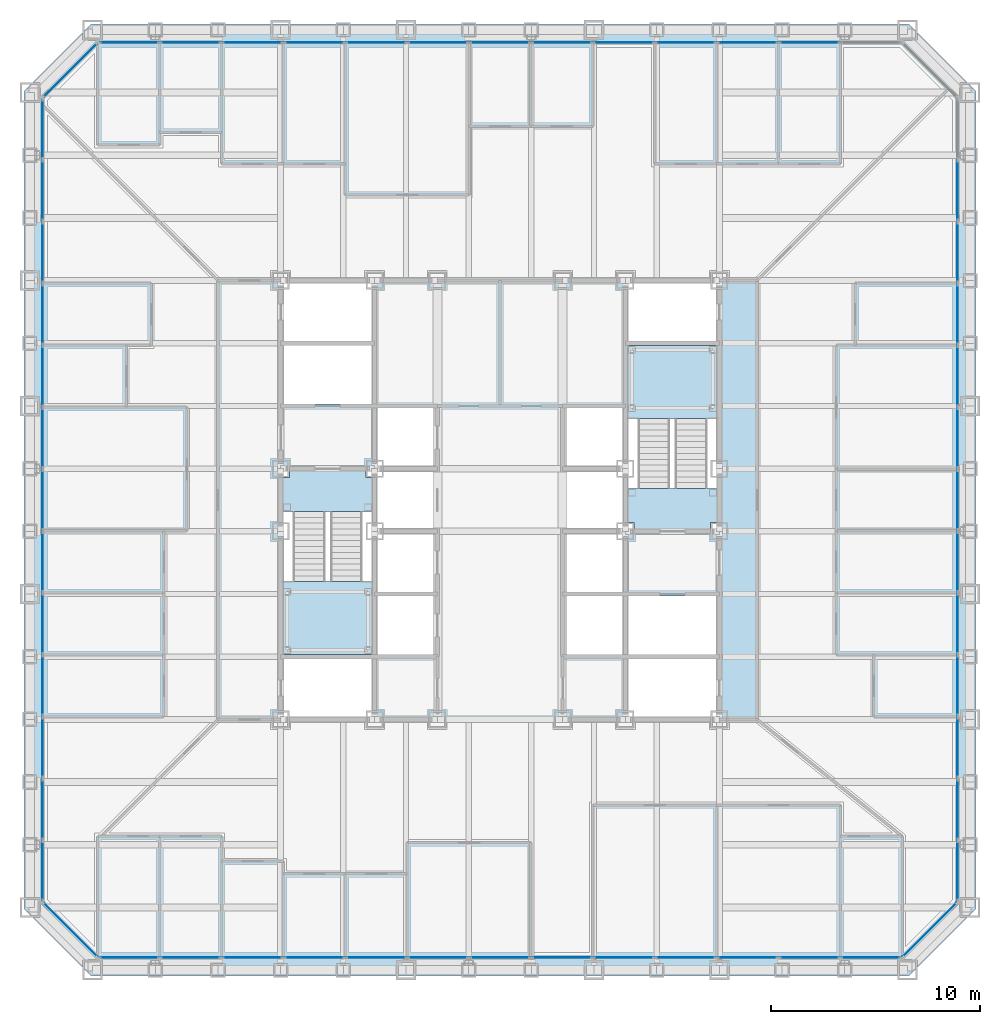
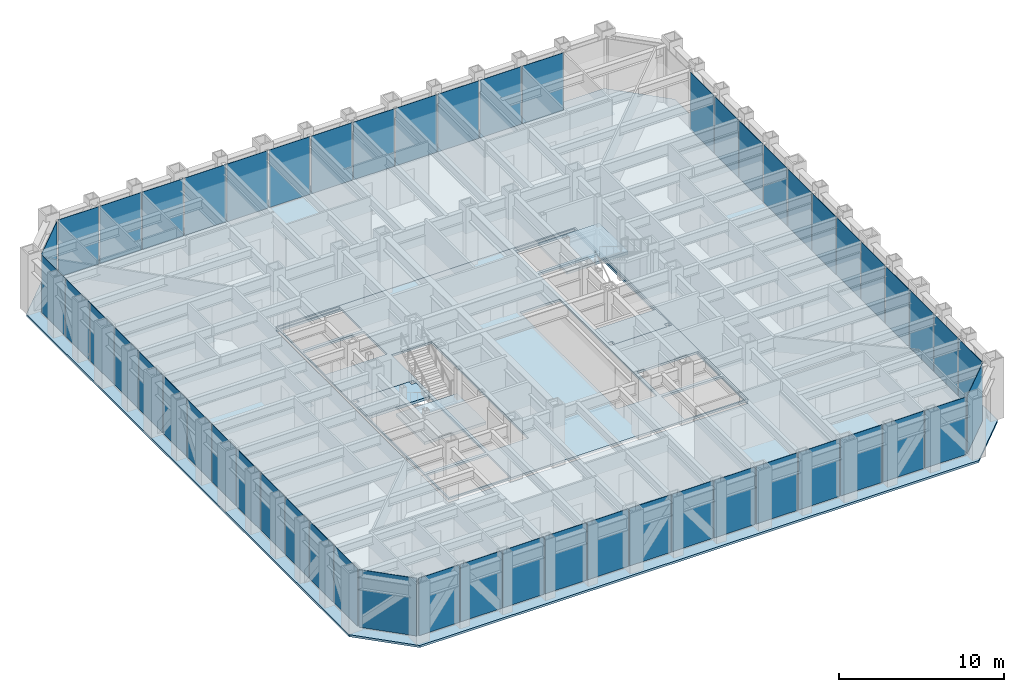
# One storey, part 7 of 17: 53 plates, 6 slabs, 9 elements without a shape of their own.
"""IFC4 building model written with IfcOpenShell, lengths in metres."""

from ifc_helpers import new_model, si_unit, direction, frame, origin, origin_2d, place, context, subcontext, project, spatial, polyline, rectangle, outline, extrude, material, layer, layer_set, type_object, element, aggregate, save


model = new_model("IFC4")

# Units and contexts
model_context = context("Model", 3, precision=1e-05, world=origin(), true_north=direction((0.0, 1.0)))
body_context = subcontext(model_context, "Body", "Model", "MODEL_VIEW")
ifc_project = project(units=[si_unit("LENGTHUNIT", "METRE"), si_unit("AREAUNIT", "SQUARE_METRE"), si_unit("VOLUMEUNIT", "CUBIC_METRE"), si_unit("PLANEANGLEUNIT", "RADIAN"), si_unit("MASSUNIT", "GRAM", prefix="KILO")], contexts=[model_context])

# Site, building, storey
site_placement = place(None, origin())
site = spatial("IfcSite", under=ifc_project, at=site_placement, CompositionType="ELEMENT")
building_placement = place(site_placement, origin())
building = spatial("IfcBuilding", under=site, at=building_placement, Name="Chuquiago Exchange Tower", CompositionType="ELEMENT")
storey_placement = place(building_placement, frame((0.0, 0.0, 46.800048828125)))
storey = spatial("IfcBuildingStorey", under=building, at=storey_placement, Name="L09", CompositionType="ELEMENT", Elevation=46.800048828125)

# Curtain wall, plates
ifc_material_1 = material(Name="Aluminium curtain wall system", Category="aluminium")
ifc_layer_1 = layer(ifc_material_1, 0.25)
ifc_layer_set_1 = layer_set([ifc_layer_1], Name="CW1 trading floor curtain wall")
curtain_wall_type_1 = type_object("IfcCurtainWallType", Name="CW1 trading floor curtain wall", PredefinedType="NOTDEFINED", material=ifc_layer_set_1)
curtain_wall_1_placement = place(storey_placement, origin())
curtain_wall_1 = element("IfcCurtainWall", 1, at=curtain_wall_1_placement, inside=storey, type_object=curtain_wall_type_1, Name="CW1 curtain wall L09", PredefinedType="NOTDEFINED")
ifc_material_2 = material(Name="Glass, insulating unit", Category="glass")
ifc_layer_2 = layer(ifc_material_2, 0.031982421875)
ifc_layer_set_2 = layer_set([ifc_layer_2], Name="CW1-P panel 32")
plate_type_1 = type_object("IfcPlateType", Name="CW1-P panel 32", PredefinedType="CURTAIN_PANEL", material=ifc_layer_set_2)
plate_1_placement = place(storey_placement, frame((10.65283203125, 0.60009765625, -0.22509765625), z_axis=(0.0, 0.0, 1.0), x_axis=(1.0, 0.0, 0.0)))
plate_1 = element("IfcPlate", 2, at=plate_1_placement, type_object=plate_type_1, Name="CW1 panel 3.1", PredefinedType="CURTAIN_PANEL", context=body_context, shape_type="SweptSolid", body=[
    extrude(rectangle(XDim=2.88671875, YDim=0.031982421875, at=origin_2d()), origin(), (0.0, 0.0, 1.0), 4.264892578125),
])
plate_2_placement = place(storey_placement, frame((13.61474609375, 0.60009765625, -0.22509765625), z_axis=(0.0, 0.0, 1.0), x_axis=(1.0, 0.0, 0.0)))
plate_2 = element("IfcPlate", 3, at=plate_2_placement, type_object=plate_type_1, Name="CW1 panel 4.1", PredefinedType="CURTAIN_PANEL", context=body_context, shape_type="SweptSolid", body=[
    extrude(rectangle(XDim=2.88671875, YDim=0.031982421875, at=origin_2d()), origin(), (0.0, 0.0, 1.0), 4.264892578125),
])
plate_3_placement = place(storey_placement, frame((16.576416015625, 0.60009765625, -0.22509765625), z_axis=(0.0, 0.0, 1.0), x_axis=(1.0, 0.0, 0.0)))
plate_3 = element("IfcPlate", 4, at=plate_3_placement, type_object=plate_type_1, Name="CW1 panel 5.1", PredefinedType="CURTAIN_PANEL", context=body_context, shape_type="SweptSolid", body=[
    extrude(rectangle(XDim=2.88671875, YDim=0.031982421875, at=origin_2d()), origin(), (0.0, 0.0, 1.0), 4.264892578125),
])
plate_4_placement = place(storey_placement, frame((25.461669921875, 0.60009765625, -0.22509765625), z_axis=(0.0, 0.0, 1.0), x_axis=(1.0, 0.0, 0.0)))
plate_4 = element("IfcPlate", 5, at=plate_4_placement, type_object=plate_type_1, Name="CW1 panel 8.1", PredefinedType="CURTAIN_PANEL", context=body_context, shape_type="SweptSolid", body=[
    extrude(rectangle(XDim=2.88671875, YDim=0.031982421875, at=origin_2d()), origin(), (0.0, 0.0, 1.0), 4.264892578125),
])
plate_5_placement = place(storey_placement, frame((28.423583984375, 0.60009765625, -0.22509765625), z_axis=(0.0, 0.0, 1.0), x_axis=(1.0, 0.0, 0.0)))
plate_5 = element("IfcPlate", 6, at=plate_5_placement, type_object=plate_type_1, Name="CW1 panel 9.1", PredefinedType="CURTAIN_PANEL", context=body_context, shape_type="SweptSolid", body=[
    extrude(rectangle(XDim=2.88671875, YDim=0.031982421875, at=origin_2d()), origin(), (0.0, 0.0, 1.0), 4.264892578125),
])
plate_6_placement = place(storey_placement, frame((31.38525390625, 0.60009765625, -0.22509765625), z_axis=(0.0, 0.0, 1.0), x_axis=(1.0, 0.0, 0.0)))
plate_6 = element("IfcPlate", 7, at=plate_6_placement, type_object=plate_type_1, Name="CW1 panel 10.1", PredefinedType="CURTAIN_PANEL", context=body_context, shape_type="SweptSolid", body=[
    extrude(rectangle(XDim=2.88671875, YDim=0.031982421875, at=origin_2d()), origin(), (0.0, 0.0, 1.0), 4.264892578125),
])
plate_7_placement = place(storey_placement, frame((34.34716796875, 0.60009765625, -0.22509765625), z_axis=(0.0, 0.0, 1.0), x_axis=(1.0, 0.0, 0.0)))
plate_7 = element("IfcPlate", 8, at=plate_7_placement, type_object=plate_type_1, Name="CW1 panel 11.1", PredefinedType="CURTAIN_PANEL", context=body_context, shape_type="SweptSolid", body=[
    extrude(rectangle(XDim=2.88671875, YDim=0.031982421875, at=origin_2d()), origin(), (0.0, 0.0, 1.0), 4.264892578125),
])

curtain_wall_2_placement = place(storey_placement, origin())
curtain_wall_2 = element("IfcCurtainWall", 9, at=curtain_wall_2_placement, inside=storey, type_object=curtain_wall_type_1, Name="CW1 curtain wall L09", PredefinedType="NOTDEFINED")
plate_8_placement = place(storey_placement, frame((44.39990234375, 10.65283203125, -0.22509765625), z_axis=(0.0, 0.0, 1.0), x_axis=(0.0, 1.0, 0.0)))
plate_8 = element("IfcPlate", 10, at=plate_8_placement, type_object=plate_type_1, Name="CW1 panel 3.1", PredefinedType="CURTAIN_PANEL", context=body_context, shape_type="SweptSolid", body=[
    extrude(rectangle(XDim=2.88671875, YDim=0.031982421875, at=origin_2d()), origin(), (0.0, 0.0, 1.0), 4.264892578125),
])
plate_9_placement = place(storey_placement, frame((44.39990234375, 13.61474609375, -0.22509765625), z_axis=(0.0, 0.0, 1.0), x_axis=(0.0, 1.0, 0.0)))
plate_9 = element("IfcPlate", 11, at=plate_9_placement, type_object=plate_type_1, Name="CW1 panel 4.1", PredefinedType="CURTAIN_PANEL", context=body_context, shape_type="SweptSolid", body=[
    extrude(rectangle(XDim=2.88671875, YDim=0.031982421875, at=origin_2d()), origin(), (0.0, 0.0, 1.0), 4.264892578125),
])
plate_10_placement = place(storey_placement, frame((44.39990234375, 16.576416015625, -0.22509765625), z_axis=(0.0, 0.0, 1.0), x_axis=(0.0, 1.0, 0.0)))
plate_10 = element("IfcPlate", 12, at=plate_10_placement, type_object=plate_type_1, Name="CW1 panel 5.1", PredefinedType="CURTAIN_PANEL", context=body_context, shape_type="SweptSolid", body=[
    extrude(rectangle(XDim=2.88671875, YDim=0.031982421875, at=origin_2d()), origin(), (0.0, 0.0, 1.0), 4.264892578125),
])
plate_11_placement = place(storey_placement, frame((44.39990234375, 25.461669921875, -0.22509765625), z_axis=(0.0, 0.0, 1.0), x_axis=(0.0, 1.0, 0.0)))
plate_11 = element("IfcPlate", 13, at=plate_11_placement, type_object=plate_type_1, Name="CW1 panel 8.1", PredefinedType="CURTAIN_PANEL", context=body_context, shape_type="SweptSolid", body=[
    extrude(rectangle(XDim=2.88671875, YDim=0.031982421875, at=origin_2d()), origin(), (0.0, 0.0, 1.0), 4.264892578125),
])
plate_12_placement = place(storey_placement, frame((44.39990234375, 28.423583984375, -0.22509765625), z_axis=(0.0, 0.0, 1.0), x_axis=(0.0, 1.0, 0.0)))
plate_12 = element("IfcPlate", 14, at=plate_12_placement, type_object=plate_type_1, Name="CW1 panel 9.1", PredefinedType="CURTAIN_PANEL", context=body_context, shape_type="SweptSolid", body=[
    extrude(rectangle(XDim=2.88671875, YDim=0.031982421875, at=origin_2d()), origin(), (0.0, 0.0, 1.0), 4.264892578125),
])
plate_13_placement = place(storey_placement, frame((44.39990234375, 31.38525390625, -0.22509765625), z_axis=(0.0, 0.0, 1.0), x_axis=(0.0, 1.0, 0.0)))
plate_13 = element("IfcPlate", 15, at=plate_13_placement, type_object=plate_type_1, Name="CW1 panel 10.1", PredefinedType="CURTAIN_PANEL", context=body_context, shape_type="SweptSolid", body=[
    extrude(rectangle(XDim=2.88671875, YDim=0.031982421875, at=origin_2d()), origin(), (0.0, 0.0, 1.0), 4.264892578125),
])
plate_14_placement = place(storey_placement, frame((44.39990234375, 34.34716796875, -0.22509765625), z_axis=(0.0, 0.0, 1.0), x_axis=(0.0, 1.0, 0.0)))
plate_14 = element("IfcPlate", 16, at=plate_14_placement, type_object=plate_type_1, Name="CW1 panel 11.1", PredefinedType="CURTAIN_PANEL", context=body_context, shape_type="SweptSolid", body=[
    extrude(rectangle(XDim=2.88671875, YDim=0.031982421875, at=origin_2d()), origin(), (0.0, 0.0, 1.0), 4.264892578125),
])

curtain_wall_3_placement = place(storey_placement, origin())
curtain_wall_3 = element("IfcCurtainWall", 17, at=curtain_wall_3_placement, inside=storey, type_object=curtain_wall_type_1, Name="CW1 curtain wall L09", PredefinedType="NOTDEFINED")
plate_15_placement = place(storey_placement, frame((34.34716796875, 44.39990234375, -0.22509765625), z_axis=(0.0, 0.0, 1.0), x_axis=(-1.0, 0.0, 0.0)))
plate_15 = element("IfcPlate", 18, at=plate_15_placement, type_object=plate_type_1, Name="CW1 panel 3.1", PredefinedType="CURTAIN_PANEL", context=body_context, shape_type="SweptSolid", body=[
    extrude(rectangle(XDim=2.88671875, YDim=0.031982421875, at=origin_2d()), origin(), (0.0, 0.0, 1.0), 4.264892578125),
])
plate_16_placement = place(storey_placement, frame((31.38525390625, 44.39990234375, -0.22509765625), z_axis=(0.0, 0.0, 1.0), x_axis=(-1.0, 0.0, 0.0)))
plate_16 = element("IfcPlate", 19, at=plate_16_placement, type_object=plate_type_1, Name="CW1 panel 4.1", PredefinedType="CURTAIN_PANEL", context=body_context, shape_type="SweptSolid", body=[
    extrude(rectangle(XDim=2.88671875, YDim=0.031982421875, at=origin_2d()), origin(), (0.0, 0.0, 1.0), 4.264892578125),
])
plate_17_placement = place(storey_placement, frame((28.423583984375, 44.39990234375, -0.22509765625), z_axis=(0.0, 0.0, 1.0), x_axis=(-1.0, 0.0, 0.0)))
plate_17 = element("IfcPlate", 20, at=plate_17_placement, type_object=plate_type_1, Name="CW1 panel 5.1", PredefinedType="CURTAIN_PANEL", context=body_context, shape_type="SweptSolid", body=[
    extrude(rectangle(XDim=2.88671875, YDim=0.031982421875, at=origin_2d()), origin(), (0.0, 0.0, 1.0), 4.264892578125),
])
plate_18_placement = place(storey_placement, frame((19.538330078125, 44.39990234375, -0.22509765625), z_axis=(0.0, 0.0, 1.0), x_axis=(-1.0, 0.0, 0.0)))
plate_18 = element("IfcPlate", 21, at=plate_18_placement, type_object=plate_type_1, Name="CW1 panel 8.1", PredefinedType="CURTAIN_PANEL", context=body_context, shape_type="SweptSolid", body=[
    extrude(rectangle(XDim=2.88671875, YDim=0.031982421875, at=origin_2d()), origin(), (0.0, 0.0, 1.0), 4.264892578125),
])
plate_19_placement = place(storey_placement, frame((16.576416015625, 44.39990234375, -0.22509765625), z_axis=(0.0, 0.0, 1.0), x_axis=(-1.0, 0.0, 0.0)))
plate_19 = element("IfcPlate", 22, at=plate_19_placement, type_object=plate_type_1, Name="CW1 panel 9.1", PredefinedType="CURTAIN_PANEL", context=body_context, shape_type="SweptSolid", body=[
    extrude(rectangle(XDim=2.88671875, YDim=0.031982421875, at=origin_2d()), origin(), (0.0, 0.0, 1.0), 4.264892578125),
])
plate_20_placement = place(storey_placement, frame((13.61474609375, 44.39990234375, -0.22509765625), z_axis=(0.0, 0.0, 1.0), x_axis=(-1.0, 0.0, 0.0)))
plate_20 = element("IfcPlate", 23, at=plate_20_placement, type_object=plate_type_1, Name="CW1 panel 10.1", PredefinedType="CURTAIN_PANEL", context=body_context, shape_type="SweptSolid", body=[
    extrude(rectangle(XDim=2.88671875, YDim=0.031982421875, at=origin_2d()), origin(), (0.0, 0.0, 1.0), 4.264892578125),
])
plate_21_placement = place(storey_placement, frame((10.65283203125, 44.39990234375, -0.22509765625), z_axis=(0.0, 0.0, 1.0), x_axis=(-1.0, 0.0, 0.0)))
plate_21 = element("IfcPlate", 24, at=plate_21_placement, type_object=plate_type_1, Name="CW1 panel 11.1", PredefinedType="CURTAIN_PANEL", context=body_context, shape_type="SweptSolid", body=[
    extrude(rectangle(XDim=2.88671875, YDim=0.031982421875, at=origin_2d()), origin(), (0.0, 0.0, 1.0), 4.264892578125),
])

curtain_wall_4_placement = place(storey_placement, origin())
curtain_wall_4 = element("IfcCurtainWall", 25, at=curtain_wall_4_placement, inside=storey, type_object=curtain_wall_type_1, Name="CW1 curtain wall L09", PredefinedType="NOTDEFINED")
plate_22_placement = place(storey_placement, frame((0.60009765625, 34.34716796875, -0.22509765625), z_axis=(0.0, 0.0, 1.0), x_axis=(0.0, -1.0, 0.0)))
plate_22 = element("IfcPlate", 26, at=plate_22_placement, type_object=plate_type_1, Name="CW1 panel 3.1", PredefinedType="CURTAIN_PANEL", context=body_context, shape_type="SweptSolid", body=[
    extrude(rectangle(XDim=2.88671875, YDim=0.031982421875, at=origin_2d()), origin(), (0.0, 0.0, 1.0), 4.264892578125),
])
plate_23_placement = place(storey_placement, frame((0.60009765625, 31.38525390625, -0.22509765625), z_axis=(0.0, 0.0, 1.0), x_axis=(0.0, -1.0, 0.0)))
plate_23 = element("IfcPlate", 27, at=plate_23_placement, type_object=plate_type_1, Name="CW1 panel 4.1", PredefinedType="CURTAIN_PANEL", context=body_context, shape_type="SweptSolid", body=[
    extrude(rectangle(XDim=2.88671875, YDim=0.031982421875, at=origin_2d()), origin(), (0.0, 0.0, 1.0), 4.264892578125),
])
plate_24_placement = place(storey_placement, frame((0.60009765625, 28.423583984375, -0.22509765625), z_axis=(0.0, 0.0, 1.0), x_axis=(0.0, -1.0, 0.0)))
plate_24 = element("IfcPlate", 28, at=plate_24_placement, type_object=plate_type_1, Name="CW1 panel 5.1", PredefinedType="CURTAIN_PANEL", context=body_context, shape_type="SweptSolid", body=[
    extrude(rectangle(XDim=2.88671875, YDim=0.031982421875, at=origin_2d()), origin(), (0.0, 0.0, 1.0), 4.264892578125),
])
plate_25_placement = place(storey_placement, frame((0.60009765625, 19.538330078125, -0.22509765625), z_axis=(0.0, 0.0, 1.0), x_axis=(0.0, -1.0, 0.0)))
plate_25 = element("IfcPlate", 29, at=plate_25_placement, type_object=plate_type_1, Name="CW1 panel 8.1", PredefinedType="CURTAIN_PANEL", context=body_context, shape_type="SweptSolid", body=[
    extrude(rectangle(XDim=2.88671875, YDim=0.031982421875, at=origin_2d()), origin(), (0.0, 0.0, 1.0), 4.264892578125),
])
plate_26_placement = place(storey_placement, frame((0.60009765625, 16.576416015625, -0.22509765625), z_axis=(0.0, 0.0, 1.0), x_axis=(0.0, -1.0, 0.0)))
plate_26 = element("IfcPlate", 30, at=plate_26_placement, type_object=plate_type_1, Name="CW1 panel 9.1", PredefinedType="CURTAIN_PANEL", context=body_context, shape_type="SweptSolid", body=[
    extrude(rectangle(XDim=2.88671875, YDim=0.031982421875, at=origin_2d()), origin(), (0.0, 0.0, 1.0), 4.264892578125),
])
plate_27_placement = place(storey_placement, frame((0.60009765625, 13.61474609375, -0.22509765625), z_axis=(0.0, 0.0, 1.0), x_axis=(0.0, -1.0, 0.0)))
plate_27 = element("IfcPlate", 31, at=plate_27_placement, type_object=plate_type_1, Name="CW1 panel 10.1", PredefinedType="CURTAIN_PANEL", context=body_context, shape_type="SweptSolid", body=[
    extrude(rectangle(XDim=2.88671875, YDim=0.031982421875, at=origin_2d()), origin(), (0.0, 0.0, 1.0), 4.264892578125),
])
plate_28_placement = place(storey_placement, frame((0.60009765625, 10.65283203125, -0.22509765625), z_axis=(0.0, 0.0, 1.0), x_axis=(0.0, -1.0, 0.0)))
plate_28 = element("IfcPlate", 32, at=plate_28_placement, type_object=plate_type_1, Name="CW1 panel 11.1", PredefinedType="CURTAIN_PANEL", context=body_context, shape_type="SweptSolid", body=[
    extrude(rectangle(XDim=2.88671875, YDim=0.031982421875, at=origin_2d()), origin(), (0.0, 0.0, 1.0), 4.264892578125),
])

# Plate
ifc_material_3 = material(Name="Insulated spandrel panel, pale anodised aluminium", Category="aluminium")
ifc_layer_3 = layer(ifc_material_3, 0.031982421875)
ifc_layer_set_3 = layer_set([ifc_layer_3], Name="CW1-P spandrel panel 32")
plate_type_2 = type_object("IfcPlateType", Name="CW1-P spandrel panel 32", PredefinedType="CURTAIN_PANEL", material=ifc_layer_set_3)
plate_29_placement = place(storey_placement, frame((4.748046875, 0.60009765625, -0.22509765625), z_axis=(0.0, 0.0, 1.0), x_axis=(1.0, 0.0, 0.0)))
plate_29 = element("IfcPlate", 33, at=plate_29_placement, type_object=plate_type_2, Name="CW1 panel 1.1", PredefinedType="CURTAIN_PANEL", context=body_context, shape_type="SweptSolid", body=[
    extrude(rectangle(XDim=2.849365234375, YDim=0.031982421875, at=origin_2d()), origin(), (0.0, 0.0, 1.0), 4.264892578125),
])

plate_30_placement = place(storey_placement, frame((7.691162109375, 0.60009765625, -0.22509765625), z_axis=(0.0, 0.0, 1.0), x_axis=(1.0, 0.0, 0.0)))
plate_30 = element("IfcPlate", 34, at=plate_30_placement, type_object=plate_type_2, Name="CW1 panel 2.1", PredefinedType="CURTAIN_PANEL", context=body_context, shape_type="SweptSolid", body=[
    extrude(rectangle(XDim=2.88671875, YDim=0.031982421875, at=origin_2d()), origin(), (0.0, 0.0, 1.0), 4.264892578125),
])

plate_31_placement = place(storey_placement, frame((19.538330078125, 0.60009765625, -0.22509765625), z_axis=(0.0, 0.0, 1.0), x_axis=(1.0, 0.0, 0.0)))
plate_31 = element("IfcPlate", 35, at=plate_31_placement, type_object=plate_type_2, Name="CW1 panel 6.1", PredefinedType="CURTAIN_PANEL", context=body_context, shape_type="SweptSolid", body=[
    extrude(rectangle(XDim=2.88671875, YDim=0.031982421875, at=origin_2d()), origin(), (0.0, 0.0, 1.0), 4.264892578125),
])

plate_32_placement = place(storey_placement, frame((22.5, 0.60009765625, -0.22509765625), z_axis=(0.0, 0.0, 1.0), x_axis=(1.0, 0.0, 0.0)))
plate_32 = element("IfcPlate", 36, at=plate_32_placement, type_object=plate_type_2, Name="CW1 panel 7.1", PredefinedType="CURTAIN_PANEL", context=body_context, shape_type="SweptSolid", body=[
    extrude(rectangle(XDim=2.88671875, YDim=0.031982421875, at=origin_2d()), origin(), (0.0, 0.0, 1.0), 4.264892578125),
])

plate_33_placement = place(storey_placement, frame((37.308837890625, 0.60009765625, -0.22509765625), z_axis=(0.0, 0.0, 1.0), x_axis=(1.0, 0.0, 0.0)))
plate_33 = element("IfcPlate", 37, at=plate_33_placement, type_object=plate_type_2, Name="CW1 panel 12.1", PredefinedType="CURTAIN_PANEL", context=body_context, shape_type="SweptSolid", body=[
    extrude(rectangle(XDim=2.88671875, YDim=0.031982421875, at=origin_2d()), origin(), (0.0, 0.0, 1.0), 4.264892578125),
])

plate_34_placement = place(storey_placement, frame((40.251953125, 0.60009765625, -0.22509765625), z_axis=(0.0, 0.0, 1.0), x_axis=(1.0, 0.0, 0.0)))
plate_34 = element("IfcPlate", 38, at=plate_34_placement, type_object=plate_type_2, Name="CW1 panel 13.1", PredefinedType="CURTAIN_PANEL", context=body_context, shape_type="SweptSolid", body=[
    extrude(rectangle(XDim=2.849365234375, YDim=0.031982421875, at=origin_2d()), origin(), (0.0, 0.0, 1.0), 4.264892578125),
])

aggregate(curtain_wall_1, [plate_29, plate_30, plate_1, plate_2, plate_3, plate_31, plate_32, plate_4, plate_5, plate_6, plate_7, plate_33, plate_34])

plate_35_placement = place(storey_placement, frame((44.39990234375, 4.748046875, -0.22509765625), z_axis=(0.0, 0.0, 1.0), x_axis=(0.0, 1.0, 0.0)))
plate_35 = element("IfcPlate", 39, at=plate_35_placement, type_object=plate_type_2, Name="CW1 panel 1.1", PredefinedType="CURTAIN_PANEL", context=body_context, shape_type="SweptSolid", body=[
    extrude(rectangle(XDim=2.849365234375, YDim=0.031982421875, at=origin_2d()), origin(), (0.0, 0.0, 1.0), 4.264892578125),
])

plate_36_placement = place(storey_placement, frame((44.39990234375, 7.691162109375, -0.22509765625), z_axis=(0.0, 0.0, 1.0), x_axis=(0.0, 1.0, 0.0)))
plate_36 = element("IfcPlate", 40, at=plate_36_placement, type_object=plate_type_2, Name="CW1 panel 2.1", PredefinedType="CURTAIN_PANEL", context=body_context, shape_type="SweptSolid", body=[
    extrude(rectangle(XDim=2.88671875, YDim=0.031982421875, at=origin_2d()), origin(), (0.0, 0.0, 1.0), 4.264892578125),
])

plate_37_placement = place(storey_placement, frame((44.39990234375, 19.538330078125, -0.22509765625), z_axis=(0.0, 0.0, 1.0), x_axis=(0.0, 1.0, 0.0)))
plate_37 = element("IfcPlate", 41, at=plate_37_placement, type_object=plate_type_2, Name="CW1 panel 6.1", PredefinedType="CURTAIN_PANEL", context=body_context, shape_type="SweptSolid", body=[
    extrude(rectangle(XDim=2.88671875, YDim=0.031982421875, at=origin_2d()), origin(), (0.0, 0.0, 1.0), 4.264892578125),
])

plate_38_placement = place(storey_placement, frame((44.39990234375, 22.5, -0.22509765625), z_axis=(0.0, 0.0, 1.0), x_axis=(0.0, 1.0, 0.0)))
plate_38 = element("IfcPlate", 42, at=plate_38_placement, type_object=plate_type_2, Name="CW1 panel 7.1", PredefinedType="CURTAIN_PANEL", context=body_context, shape_type="SweptSolid", body=[
    extrude(rectangle(XDim=2.88671875, YDim=0.031982421875, at=origin_2d()), origin(), (0.0, 0.0, 1.0), 4.264892578125),
])

plate_39_placement = place(storey_placement, frame((44.39990234375, 37.308837890625, -0.22509765625), z_axis=(0.0, 0.0, 1.0), x_axis=(0.0, 1.0, 0.0)))
plate_39 = element("IfcPlate", 43, at=plate_39_placement, type_object=plate_type_2, Name="CW1 panel 12.1", PredefinedType="CURTAIN_PANEL", context=body_context, shape_type="SweptSolid", body=[
    extrude(rectangle(XDim=2.88671875, YDim=0.031982421875, at=origin_2d()), origin(), (0.0, 0.0, 1.0), 4.264892578125),
])

aggregate(curtain_wall_2, [plate_35, plate_36, plate_8, plate_9, plate_10, plate_37, plate_38, plate_11, plate_12, plate_13, plate_14, plate_39])

plate_40_placement = place(storey_placement, frame((37.308837890625, 44.39990234375, -0.22509765625), z_axis=(0.0, 0.0, 1.0), x_axis=(-1.0, 0.0, 0.0)))
plate_40 = element("IfcPlate", 44, at=plate_40_placement, type_object=plate_type_2, Name="CW1 panel 2.1", PredefinedType="CURTAIN_PANEL", context=body_context, shape_type="SweptSolid", body=[
    extrude(rectangle(XDim=2.88671875, YDim=0.031982421875, at=origin_2d()), origin(), (0.0, 0.0, 1.0), 4.264892578125),
])

plate_41_placement = place(storey_placement, frame((25.461669921875, 44.39990234375, -0.22509765625), z_axis=(0.0, 0.0, 1.0), x_axis=(-1.0, 0.0, 0.0)))
plate_41 = element("IfcPlate", 45, at=plate_41_placement, type_object=plate_type_2, Name="CW1 panel 6.1", PredefinedType="CURTAIN_PANEL", context=body_context, shape_type="SweptSolid", body=[
    extrude(rectangle(XDim=2.88671875, YDim=0.031982421875, at=origin_2d()), origin(), (0.0, 0.0, 1.0), 4.264892578125),
])

plate_42_placement = place(storey_placement, frame((22.5, 44.39990234375, -0.22509765625), z_axis=(0.0, 0.0, 1.0), x_axis=(-1.0, 0.0, 0.0)))
plate_42 = element("IfcPlate", 46, at=plate_42_placement, type_object=plate_type_2, Name="CW1 panel 7.1", PredefinedType="CURTAIN_PANEL", context=body_context, shape_type="SweptSolid", body=[
    extrude(rectangle(XDim=2.88671875, YDim=0.031982421875, at=origin_2d()), origin(), (0.0, 0.0, 1.0), 4.264892578125),
])

plate_43_placement = place(storey_placement, frame((7.691162109375, 44.39990234375, -0.22509765625), z_axis=(0.0, 0.0, 1.0), x_axis=(-1.0, 0.0, 0.0)))
plate_43 = element("IfcPlate", 47, at=plate_43_placement, type_object=plate_type_2, Name="CW1 panel 12.1", PredefinedType="CURTAIN_PANEL", context=body_context, shape_type="SweptSolid", body=[
    extrude(rectangle(XDim=2.88671875, YDim=0.031982421875, at=origin_2d()), origin(), (0.0, 0.0, 1.0), 4.264892578125),
])

plate_44_placement = place(storey_placement, frame((4.748046875, 44.39990234375, -0.22509765625), z_axis=(0.0, 0.0, 1.0), x_axis=(-1.0, 0.0, 0.0)))
plate_44 = element("IfcPlate", 48, at=plate_44_placement, type_object=plate_type_2, Name="CW1 panel 13.1", PredefinedType="CURTAIN_PANEL", context=body_context, shape_type="SweptSolid", body=[
    extrude(rectangle(XDim=2.849365234375, YDim=0.031982421875, at=origin_2d()), origin(), (0.0, 0.0, 1.0), 4.264892578125),
])

aggregate(curtain_wall_3, [plate_40, plate_15, plate_16, plate_17, plate_41, plate_42, plate_18, plate_19, plate_20, plate_21, plate_43, plate_44])

plate_45_placement = place(storey_placement, frame((0.60009765625, 40.251953125, -0.22509765625), z_axis=(0.0, 0.0, 1.0), x_axis=(0.0, -1.0, 0.0)))
plate_45 = element("IfcPlate", 49, at=plate_45_placement, type_object=plate_type_2, Name="CW1 panel 1.1", PredefinedType="CURTAIN_PANEL", context=body_context, shape_type="SweptSolid", body=[
    extrude(rectangle(XDim=2.849365234375, YDim=0.031982421875, at=origin_2d()), origin(), (0.0, 0.0, 1.0), 4.264892578125),
])

plate_46_placement = place(storey_placement, frame((0.60009765625, 37.308837890625, -0.22509765625), z_axis=(0.0, 0.0, 1.0), x_axis=(0.0, -1.0, 0.0)))
plate_46 = element("IfcPlate", 50, at=plate_46_placement, type_object=plate_type_2, Name="CW1 panel 2.1", PredefinedType="CURTAIN_PANEL", context=body_context, shape_type="SweptSolid", body=[
    extrude(rectangle(XDim=2.88671875, YDim=0.031982421875, at=origin_2d()), origin(), (0.0, 0.0, 1.0), 4.264892578125),
])

plate_47_placement = place(storey_placement, frame((0.60009765625, 25.461669921875, -0.22509765625), z_axis=(0.0, 0.0, 1.0), x_axis=(0.0, -1.0, 0.0)))
plate_47 = element("IfcPlate", 51, at=plate_47_placement, type_object=plate_type_2, Name="CW1 panel 6.1", PredefinedType="CURTAIN_PANEL", context=body_context, shape_type="SweptSolid", body=[
    extrude(rectangle(XDim=2.88671875, YDim=0.031982421875, at=origin_2d()), origin(), (0.0, 0.0, 1.0), 4.264892578125),
])

plate_48_placement = place(storey_placement, frame((0.60009765625, 22.5, -0.22509765625), z_axis=(0.0, 0.0, 1.0), x_axis=(0.0, -1.0, 0.0)))
plate_48 = element("IfcPlate", 52, at=plate_48_placement, type_object=plate_type_2, Name="CW1 panel 7.1", PredefinedType="CURTAIN_PANEL", context=body_context, shape_type="SweptSolid", body=[
    extrude(rectangle(XDim=2.88671875, YDim=0.031982421875, at=origin_2d()), origin(), (0.0, 0.0, 1.0), 4.264892578125),
])

plate_49_placement = place(storey_placement, frame((0.60009765625, 7.691162109375, -0.22509765625), z_axis=(0.0, 0.0, 1.0), x_axis=(0.0, -1.0, 0.0)))
plate_49 = element("IfcPlate", 53, at=plate_49_placement, type_object=plate_type_2, Name="CW1 panel 12.1", PredefinedType="CURTAIN_PANEL", context=body_context, shape_type="SweptSolid", body=[
    extrude(rectangle(XDim=2.88671875, YDim=0.031982421875, at=origin_2d()), origin(), (0.0, 0.0, 1.0), 4.264892578125),
])

plate_50_placement = place(storey_placement, frame((0.60009765625, 4.748046875, -0.22509765625), z_axis=(0.0, 0.0, 1.0), x_axis=(0.0, -1.0, 0.0)))
plate_50 = element("IfcPlate", 54, at=plate_50_placement, type_object=plate_type_2, Name="CW1 panel 13.1", PredefinedType="CURTAIN_PANEL", context=body_context, shape_type="SweptSolid", body=[
    extrude(rectangle(XDim=2.849365234375, YDim=0.031982421875, at=origin_2d()), origin(), (0.0, 0.0, 1.0), 4.264892578125),
])

aggregate(curtain_wall_4, [plate_45, plate_46, plate_22, plate_23, plate_24, plate_47, plate_48, plate_25, plate_26, plate_27, plate_28, plate_49, plate_50])

# Curtain wall, plate
ifc_material_4 = material(Name="Aluminium curtain wall system", Category="aluminium")
ifc_layer_4 = layer(ifc_material_4, 0.199951171875)
ifc_layer_set_4 = layer_set([ifc_layer_4], Name="CW3 facet curtain wall")
curtain_wall_type_2 = type_object("IfcCurtainWallType", Name="CW3 facet curtain wall", PredefinedType="NOTDEFINED", material=ifc_layer_set_4)
curtain_wall_5_placement = place(storey_placement, origin())
curtain_wall_5 = element("IfcCurtainWall", 55, at=curtain_wall_5_placement, inside=storey, type_object=curtain_wall_type_2, Name="CW3 curtain wall L09", PredefinedType="NOTDEFINED")
ifc_material_5 = material(Name="Insulated spandrel panel, pale anodised aluminium", Category="aluminium")
ifc_layer_5 = layer(ifc_material_5, 0.030029296875)
ifc_layer_set_5 = layer_set([ifc_layer_5], Name="CW3-P spandrel panel 30")
plate_type_3 = type_object("IfcPlateType", Name="CW3-P spandrel panel 30", PredefinedType="CURTAIN_PANEL", material=ifc_layer_set_5)
plate_51_placement = place(storey_placement, frame((43.07568359375, 1.92431640625, -0.235107421875), z_axis=(0.0, 0.0, 1.0), x_axis=(0.707106781187, 0.707106781187, 0.0)))
plate_51 = element("IfcPlate", 56, at=plate_51_placement, type_object=plate_type_3, Name="CW3 panel 1.1", PredefinedType="CURTAIN_PANEL", context=body_context, shape_type="SweptSolid", body=[
    extrude(rectangle(XDim=3.615478515625, YDim=0.030029296875, at=origin_2d()), origin(), (0.0, 0.0, 1.0), 4.27490234375),
])
aggregate(curtain_wall_5, [plate_51])

curtain_wall_6_placement = place(storey_placement, origin())
curtain_wall_6 = element("IfcCurtainWall", 57, at=curtain_wall_6_placement, inside=storey, type_object=curtain_wall_type_2, Name="CW3 curtain wall L09", PredefinedType="NOTDEFINED")
plate_52_placement = place(storey_placement, frame((1.92431640625, 43.07568359375, -0.235107421875), z_axis=(0.0, 0.0, 1.0), x_axis=(-0.707106781187, -0.707106781187, 0.0)))
plate_52 = element("IfcPlate", 58, at=plate_52_placement, type_object=plate_type_3, Name="CW3 panel 1.1", PredefinedType="CURTAIN_PANEL", context=body_context, shape_type="SweptSolid", body=[
    extrude(rectangle(XDim=3.615478515625, YDim=0.030029296875, at=origin_2d()), origin(), (0.0, 0.0, 1.0), 4.27490234375),
])
aggregate(curtain_wall_6, [plate_52])

curtain_wall_7_placement = place(storey_placement, origin())
curtain_wall_7 = element("IfcCurtainWall", 59, at=curtain_wall_7_placement, inside=storey, type_object=curtain_wall_type_2, Name="CW3 curtain wall L09", PredefinedType="NOTDEFINED")
plate_53_placement = place(storey_placement, frame((1.92431640625, 1.92431640625, -0.235107421875), z_axis=(0.0, 0.0, 1.0), x_axis=(0.707106781187, -0.707106781187, 0.0)))
plate_53 = element("IfcPlate", 60, at=plate_53_placement, type_object=plate_type_3, Name="CW3 panel 1.1", PredefinedType="CURTAIN_PANEL", context=body_context, shape_type="SweptSolid", body=[
    extrude(rectangle(XDim=3.615478515625, YDim=0.030029296875, at=origin_2d()), origin(), (0.0, 0.0, 1.0), 4.27490234375),
])
aggregate(curtain_wall_7, [plate_53])

# Slabs
ifc_material_6 = material(Name="Concrete C30/37", Category="concrete")
ifc_layer_6 = layer(ifc_material_6, 0.159912109375)
ifc_layer_set_6 = layer_set([ifc_layer_6], Name="FS1 composite floor 160")
slab_type_1 = type_object("IfcSlabType", Name="FS1 composite floor 160", PredefinedType="FLOOR", material=ifc_layer_set_6)
slab_1_placement = place(storey_placement, frame((0.0, 0.0, -0.4599609375)))
element("IfcSlab", 61, at=slab_1_placement, inside=storey, type_object=slab_type_1, Name="L09 floor slab, lowered under the raised floor", PredefinedType="FLOOR", context=body_context, shape_type="SweptSolid", body=[
    extrude(outline(polyline([(-0.25, 2.896484375), (-0.25, 42.103515625), (2.896484375, 45.25), (42.103515625, 45.25), (45.25, 42.103515625), (45.25, 2.896484375), (42.103515625, -0.25), (2.896484375, -0.25), (-0.25, 2.896484375)]), holes=[polyline([(33.0, 33.0), (12.0, 33.0), (12.0, 12.0), (33.0, 12.0), (33.0, 33.0)])]), origin(), (0.0, 0.0, 1.0), 0.159912109375),
])
slab_2_placement = place(storey_placement, frame((0.0, 0.0, -0.16015625)))
element("IfcSlab", 62, at=slab_2_placement, inside=storey, type_object=slab_type_1, Name="L09 core floor slab", PredefinedType="FLOOR", context=body_context, shape_type="SweptSolid", body=[
    extrude(outline(polyline([(33.0, 12.0), (33.0, 33.0), (12.0, 33.0), (12.0, 12.0), (33.0, 12.0)]), holes=[polyline([(16.39990234375, 15.10009765625), (12.10009765625, 15.10009765625), (12.10009765625, 23.89990234375), (16.39990234375, 23.89990234375), (16.39990234375, 15.10009765625)]), polyline([(32.89990234375, 21.10009765625), (28.60009765625, 21.10009765625), (28.60009765625, 29.89990234375), (32.89990234375, 29.89990234375), (32.89990234375, 21.10009765625)]), polyline([(16.39990234375, 12.10009765625), (12.10009765625, 12.10009765625), (12.10009765625, 14.89990234375), (16.39990234375, 14.89990234375), (16.39990234375, 12.10009765625)]), polyline([(16.39990234375, 30.10009765625), (12.10009765625, 30.10009765625), (12.10009765625, 32.89990234375), (16.39990234375, 32.89990234375), (16.39990234375, 30.10009765625)]), polyline([(32.89990234375, 12.10009765625), (28.60009765625, 12.10009765625), (28.60009765625, 14.89990234375), (32.89990234375, 14.89990234375), (32.89990234375, 12.10009765625)]), polyline([(32.89990234375, 30.10009765625), (28.60009765625, 30.10009765625), (28.60009765625, 32.89990234375), (32.89990234375, 32.89990234375), (32.89990234375, 30.10009765625)]), polyline([(16.39990234375, 27.10009765625), (12.10009765625, 27.10009765625), (12.10009765625, 29.89990234375), (16.39990234375, 29.89990234375), (16.39990234375, 27.10009765625)]), polyline([(32.89990234375, 15.10009765625), (28.60009765625, 15.10009765625), (28.60009765625, 17.89990234375), (32.89990234375, 17.89990234375), (32.89990234375, 15.10009765625)]), polyline([(19.39990234375, 15.10009765625), (16.60009765625, 15.10009765625), (16.60009765625, 26.89990234375), (19.39990234375, 26.89990234375), (19.39990234375, 15.10009765625)]), polyline([(28.39990234375, 15.10009765625), (25.60009765625, 15.10009765625), (25.60009765625, 26.89990234375), (28.39990234375, 26.89990234375), (28.39990234375, 15.10009765625)])]), origin(), (0.0, 0.0, 1.0), 0.16015625),
])

# Stair, slabs
ifc_material_7 = material(Name="Concrete C30/37, precast", Category="concrete")
stair_type_1 = type_object("IfcStairType", Name="ST1 half-turn stair 4500", PredefinedType="HALF_TURN_STAIR", material=ifc_material_7)
stair_1_placement = place(storey_placement, origin())
stair_1 = element("IfcStair", 63, at=stair_1_placement, inside=storey, type_object=stair_type_1, Name="Stair ST1 L09", PredefinedType="HALF_TURN_STAIR")
ifc_material_8 = material(Name="Concrete C30/37, precast", Category="concrete")
ifc_layer_7 = layer(ifc_material_8, 0.199951171875)
ifc_layer_set_7 = layer_set([ifc_layer_7], Name="ST-L landing 200")
slab_type_2 = type_object("IfcSlabType", Name="ST-L landing 200", PredefinedType="LANDING", material=ifc_layer_set_7)
slab_3_placement = place(storey_placement, frame((0.0, 0.0, -0.199951171875)))
slab_3 = element("IfcSlab", 64, at=slab_3_placement, type_object=slab_type_2, Name="ST1 landing 1", PredefinedType="LANDING", context=body_context, shape_type="SweptSolid", body=[
    extrude(outline(polyline([(12.425048828125, 23.89990234375), (16.074951171875, 23.89990234375), (16.074951171875, 23.574951171875), (16.39990234375, 23.574951171875), (16.39990234375, 21.949951171875), (12.10009765625, 21.949951171875), (12.10009765625, 23.574951171875), (12.425048828125, 23.574951171875), (12.425048828125, 23.89990234375)])), origin(), (0.0, 0.0, 1.0), 0.199951171875),
])
slab_4_placement = place(storey_placement, frame((0.0, 0.0, 2.050048828125)))
slab_4 = element("IfcSlab", 65, at=slab_4_placement, type_object=slab_type_2, Name="ST1 landing 2", PredefinedType="LANDING", context=body_context, shape_type="SweptSolid", body=[
    extrude(outline(polyline([(12.10009765625, 18.590087890625), (16.39990234375, 18.590087890625), (16.39990234375, 15.10009765625), (12.10009765625, 15.10009765625), (12.10009765625, 18.590087890625)])), origin(), (0.0, 0.0, 1.0), 0.199951171875),
])
aggregate(stair_1, [slab_3, slab_4])

ifc_material_9 = material(Name="Concrete C30/37, precast", Category="concrete")
stair_type_2 = type_object("IfcStairType", Name="ST2 half-turn stair 4500", PredefinedType="HALF_TURN_STAIR", material=ifc_material_9)
stair_2_placement = place(storey_placement, origin())
stair_2 = element("IfcStair", 66, at=stair_2_placement, inside=storey, type_object=stair_type_2, Name="Stair ST2 L09", PredefinedType="HALF_TURN_STAIR")
slab_5_placement = place(storey_placement, frame((0.0, 0.0, -0.199951171875)))
slab_5 = element("IfcSlab", 67, at=slab_5_placement, type_object=slab_type_2, Name="ST2 landing 1", PredefinedType="LANDING", context=body_context, shape_type="SweptSolid", body=[
    extrude(outline(polyline([(32.574951171875, 21.425048828125), (32.574951171875, 21.10009765625), (28.925048828125, 21.10009765625), (28.925048828125, 21.425048828125), (28.60009765625, 21.425048828125), (28.60009765625, 23.050048828125), (32.89990234375, 23.050048828125), (32.89990234375, 21.425048828125), (32.574951171875, 21.425048828125)])), origin(), (0.0, 0.0, 1.0), 0.199951171875),
])
slab_6_placement = place(storey_placement, frame((0.0, 0.0, 2.050048828125)))
slab_6 = element("IfcSlab", 68, at=slab_6_placement, type_object=slab_type_2, Name="ST2 landing 2", PredefinedType="LANDING", context=body_context, shape_type="SweptSolid", body=[
    extrude(outline(polyline([(28.60009765625, 29.89990234375), (32.89990234375, 29.89990234375), (32.89990234375, 26.409912109375), (28.60009765625, 26.409912109375), (28.60009765625, 29.89990234375)])), origin(), (0.0, 0.0, 1.0), 0.199951171875),
])
aggregate(stair_2, [slab_5, slab_6])

save(model, "model.ifc")
